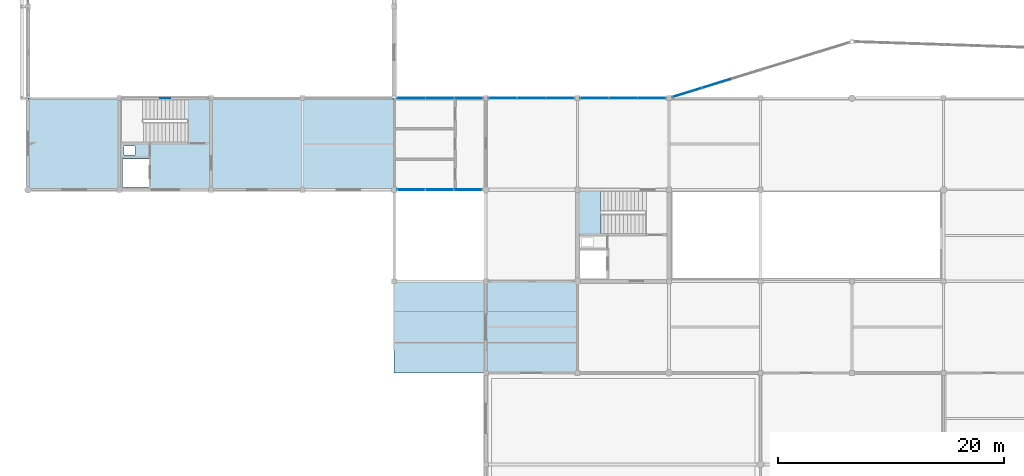
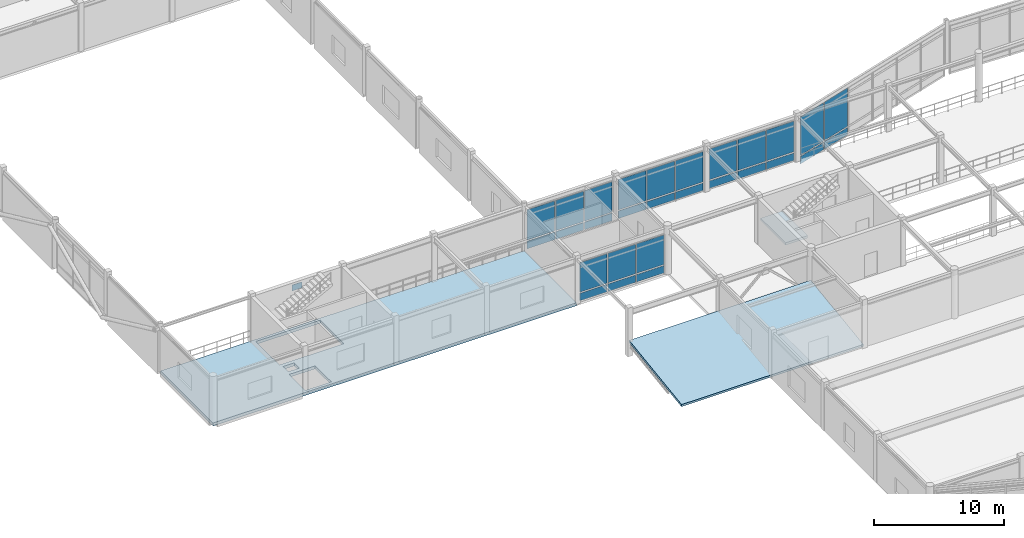
# One storey, part 50 of 93: 29 plates, 3 slabs, 6 elements without a shape of their own.
"""IFC4 building model written with IfcOpenShell, lengths in metres."""

from ifc_helpers import new_model, si_unit, direction, frame, origin, origin_2d, place, context, subcontext, project, spatial, polyline, rectangle, outline, extrude, material, layer, layer_set, type_object, element, aggregate, save


model = new_model("IFC4")

# Units and contexts
model_context = context("Model", 3, precision=1e-05, world=origin(), true_north=direction((0.0, 1.0)))
body_context = subcontext(model_context, "Body", "Model", "MODEL_VIEW")
ifc_project = project(units=[si_unit("LENGTHUNIT", "METRE"), si_unit("AREAUNIT", "SQUARE_METRE"), si_unit("VOLUMEUNIT", "CUBIC_METRE"), si_unit("PLANEANGLEUNIT", "RADIAN"), si_unit("MASSUNIT", "GRAM", prefix="KILO")], contexts=[model_context])

# Site, building, storey
site_placement = place(None, origin())
site = spatial("IfcSite", under=ifc_project, at=site_placement, CompositionType="ELEMENT")
building_placement = place(site_placement, origin())
building = spatial("IfcBuilding", under=site, at=building_placement, Name="Vaudrelin Polytechnic", CompositionType="ELEMENT")
storey_placement = place(building_placement, frame((0.0, 0.0, 5.10009765625)))
storey = spatial("IfcBuildingStorey", under=building, at=storey_placement, Name="L01", CompositionType="ELEMENT", Elevation=5.10009765625)

# Curtain wall, plates
ifc_material_1 = material(Name="Thermally broken anodised aluminium AA 6063-T6 and low-e triple glazing", Category="aluminium")
ifc_layer_1 = layer(ifc_material_1, 0.199951171875)
ifc_layer_set_1 = layer_set([ifc_layer_1], Name="Thermally broken anodised aluminium AA 6063-T6 and low-e triple glazing")
curtain_wall_type = type_object("IfcCurtainWallType", Name="CW-CW-WG", PredefinedType="USERDEFINED", material=ifc_layer_set_1)
curtain_wall_1_placement = place(storey_placement, origin())
curtain_wall_1 = element("IfcCurtainWall", 1, at=curtain_wall_1_placement, inside=storey, type_object=curtain_wall_type, Name="Curtain wall L01 S_V6W_00", ObjectType="CURTAIN WALL", PredefinedType="USERDEFINED")
ifc_material_2 = material(Name="Insulated ceramic-frit spandrel glass panel", Category="glass")
ifc_layer_2 = layer(ifc_material_2, 0.052001953125)
ifc_layer_set_2 = layer_set([ifc_layer_2], Name="Insulated ceramic-frit spandrel glass panel")
plate_type_1 = type_object("IfcPlateType", Name="PLT-GLZ-SPAND", PredefinedType="CURTAIN_PANEL", material=ifc_layer_set_2)
plate_1_placement = place(storey_placement, frame((33.88623046875, 40.5, 0.08984375), z_axis=(0.0, 0.0, 1.0), x_axis=(1.0, 0.0, 0.0)))
plate_1 = element("IfcPlate", 2, at=plate_1_placement, type_object=plate_type_1, Name="S_V6W_00 spandrel panel 1", PredefinedType="CURTAIN_PANEL", context=body_context, shape_type="SweptSolid", body=[
    extrude(rectangle(XDim=2.42626953125, YDim=0.052001953125, at=origin_2d()), origin(), (0.0, 0.0, 1.0), 0.699951171875),
])
plate_2_placement = place(storey_placement, frame((36.41259765625, 40.5, 0.08984375), z_axis=(0.0, 0.0, 1.0), x_axis=(1.0, 0.0, 0.0)))
plate_2 = element("IfcPlate", 3, at=plate_2_placement, type_object=plate_type_1, Name="S_V6W_00 spandrel panel 2", PredefinedType="CURTAIN_PANEL", context=body_context, shape_type="SweptSolid", body=[
    extrude(rectangle(XDim=2.42626953125, YDim=0.052001953125, at=origin_2d()), origin(), (0.0, 0.0, 1.0), 0.699951171875),
])
plate_3_placement = place(storey_placement, frame((38.938720703125, 40.5, 0.08984375), z_axis=(0.0, 0.0, 1.0), x_axis=(1.0, 0.0, 0.0)))
plate_3 = element("IfcPlate", 4, at=plate_3_placement, type_object=plate_type_1, Name="S_V6W_00 spandrel panel 3", PredefinedType="CURTAIN_PANEL", context=body_context, shape_type="SweptSolid", body=[
    extrude(rectangle(XDim=2.42626953125, YDim=0.052001953125, at=origin_2d()), origin(), (0.0, 0.0, 1.0), 0.699951171875),
])

curtain_wall_2_placement = place(storey_placement, origin())
curtain_wall_2 = element("IfcCurtainWall", 5, at=curtain_wall_2_placement, inside=storey, type_object=curtain_wall_type, Name="Curtain wall L01 CT_S_00", ObjectType="CURTAIN WALL", PredefinedType="USERDEFINED")
plate_4_placement = place(storey_placement, frame((33.880615234375, 48.60009765625, 0.08984375), z_axis=(0.0, 0.0, 1.0), x_axis=(1.0, 0.0, 0.0)))
plate_4 = element("IfcPlate", 6, at=plate_4_placement, type_object=plate_type_1, Name="CT_S_00 spandrel panel 1", PredefinedType="CURTAIN_PANEL", context=body_context, shape_type="SweptSolid", body=[
    extrude(rectangle(XDim=2.45849609375, YDim=0.052001953125, at=origin_2d()), origin(), (0.0, 0.0, 1.0), 0.699951171875),
])
plate_5_placement = place(storey_placement, frame((36.439208984375, 48.60009765625, 0.08984375), z_axis=(0.0, 0.0, 1.0), x_axis=(1.0, 0.0, 0.0)))
plate_5 = element("IfcPlate", 7, at=plate_5_placement, type_object=plate_type_1, Name="CT_S_00 spandrel panel 2", PredefinedType="CURTAIN_PANEL", context=body_context, shape_type="SweptSolid", body=[
    extrude(rectangle(XDim=2.45849609375, YDim=0.052001953125, at=origin_2d()), origin(), (0.0, 0.0, 1.0), 0.699951171875),
])
plate_6_placement = place(storey_placement, frame((38.997802734375, 48.60009765625, 0.08984375), z_axis=(0.0, 0.0, 1.0), x_axis=(1.0, 0.0, 0.0)))
plate_6 = element("IfcPlate", 8, at=plate_6_placement, type_object=plate_type_1, Name="CT_S_00 spandrel panel 3", PredefinedType="CURTAIN_PANEL", context=body_context, shape_type="SweptSolid", body=[
    extrude(rectangle(XDim=2.45849609375, YDim=0.052001953125, at=origin_2d()), origin(), (0.0, 0.0, 1.0), 0.699951171875),
])

curtain_wall_3_placement = place(storey_placement, origin())
curtain_wall_3 = element("IfcCurtainWall", 9, at=curtain_wall_3_placement, inside=storey, type_object=curtain_wall_type, Name="Curtain wall L01 CT_S_01", ObjectType="CURTAIN WALL", PredefinedType="USERDEFINED")
plate_7_placement = place(storey_placement, frame((41.998779296875, 48.60009765625, 0.08984375), z_axis=(0.0, 0.0, 1.0), x_axis=(1.0, 0.0, 0.0)))
plate_7 = element("IfcPlate", 10, at=plate_7_placement, type_object=plate_type_1, Name="CT_S_01 spandrel panel 1", PredefinedType="CURTAIN_PANEL", context=body_context, shape_type="SweptSolid", body=[
    extrude(rectangle(XDim=2.451416015625, YDim=0.052001953125, at=origin_2d()), origin(), (0.0, 0.0, 1.0), 0.699951171875),
])
plate_8_placement = place(storey_placement, frame((44.550048828125, 48.60009765625, 0.08984375), z_axis=(0.0, 0.0, 1.0), x_axis=(1.0, 0.0, 0.0)))
plate_8 = element("IfcPlate", 11, at=plate_8_placement, type_object=plate_type_1, Name="CT_S_01 spandrel panel 2", PredefinedType="CURTAIN_PANEL", context=body_context, shape_type="SweptSolid", body=[
    extrude(rectangle(XDim=2.451416015625, YDim=0.052001953125, at=origin_2d()), origin(), (0.0, 0.0, 1.0), 0.699951171875),
])
plate_9_placement = place(storey_placement, frame((47.101318359375, 48.60009765625, 0.08984375), z_axis=(0.0, 0.0, 1.0), x_axis=(1.0, 0.0, 0.0)))
plate_9 = element("IfcPlate", 12, at=plate_9_placement, type_object=plate_type_1, Name="CT_S_01 spandrel panel 3", PredefinedType="CURTAIN_PANEL", context=body_context, shape_type="SweptSolid", body=[
    extrude(rectangle(XDim=2.451416015625, YDim=0.052001953125, at=origin_2d()), origin(), (0.0, 0.0, 1.0), 0.699951171875),
])

curtain_wall_4_placement = place(storey_placement, origin())
curtain_wall_4 = element("IfcCurtainWall", 13, at=curtain_wall_4_placement, inside=storey, type_object=curtain_wall_type, Name="Curtain wall L01 CT_S_02", ObjectType="CURTAIN WALL", PredefinedType="USERDEFINED")
plate_10_placement = place(storey_placement, frame((50.0986328125, 48.60009765625, 0.08984375), z_axis=(0.0, 0.0, 1.0), x_axis=(1.0, 0.0, 0.0)))
plate_10 = element("IfcPlate", 14, at=plate_10_placement, type_object=plate_type_1, Name="CT_S_02 spandrel panel 1", PredefinedType="CURTAIN_PANEL", context=body_context, shape_type="SweptSolid", body=[
    extrude(rectangle(XDim=2.451416015625, YDim=0.052001953125, at=origin_2d()), origin(), (0.0, 0.0, 1.0), 0.699951171875),
])
plate_11_placement = place(storey_placement, frame((52.64990234375, 48.60009765625, 0.08984375), z_axis=(0.0, 0.0, 1.0), x_axis=(1.0, 0.0, 0.0)))
plate_11 = element("IfcPlate", 15, at=plate_11_placement, type_object=plate_type_1, Name="CT_S_02 spandrel panel 2", PredefinedType="CURTAIN_PANEL", context=body_context, shape_type="SweptSolid", body=[
    extrude(rectangle(XDim=2.451416015625, YDim=0.052001953125, at=origin_2d()), origin(), (0.0, 0.0, 1.0), 0.699951171875),
])
plate_12_placement = place(storey_placement, frame((55.201416015625, 48.60009765625, 0.08984375), z_axis=(0.0, 0.0, 1.0), x_axis=(1.0, 0.0, 0.0)))
plate_12 = element("IfcPlate", 16, at=plate_12_placement, type_object=plate_type_1, Name="CT_S_02 spandrel panel 3", PredefinedType="CURTAIN_PANEL", context=body_context, shape_type="SweptSolid", body=[
    extrude(rectangle(XDim=2.451416015625, YDim=0.052001953125, at=origin_2d()), origin(), (0.0, 0.0, 1.0), 0.699951171875),
])

curtain_wall_5_placement = place(storey_placement, origin())
curtain_wall_5 = element("IfcCurtainWall", 17, at=curtain_wall_5_placement, inside=storey, type_object=curtain_wall_type, Name="Curtain wall L01 CT_OR1_1_0", ObjectType="CURTAIN WALL", PredefinedType="USERDEFINED")
plate_13_placement = place(storey_placement, frame((58.311279296875, 49.097412109375, -0.5400390625), z_axis=(0.0, 0.0, 1.0), x_axis=(0.955523502988, 0.294914962723, 0.0)))
plate_13 = element("IfcPlate", 18, at=plate_13_placement, type_object=plate_type_1, Name="CT_OR1_1_0 spandrel panel 1", PredefinedType="CURTAIN_PANEL", context=body_context, shape_type="SweptSolid", body=[
    extrude(rectangle(XDim=2.631591796875, YDim=0.052001953125, at=origin_2d()), origin(), (0.0, 0.0, 1.0), 0.699951171875),
])
plate_14_placement = place(storey_placement, frame((60.92138671875, 49.90283203125, -0.5400390625), z_axis=(0.0, 0.0, 1.0), x_axis=(0.955523502988, 0.294914962723, 0.0)))
plate_14 = element("IfcPlate", 19, at=plate_14_placement, type_object=plate_type_1, Name="CT_OR1_1_0 spandrel panel 2", PredefinedType="CURTAIN_PANEL", context=body_context, shape_type="SweptSolid", body=[
    extrude(rectangle(XDim=2.631591796875, YDim=0.052001953125, at=origin_2d()), origin(), (0.0, 0.0, 1.0), 0.699951171875),
])

# Plate
ifc_material_3 = material(Name="Triple low-e argon insulated glazing unit", Category="glass")
ifc_layer_3 = layer(ifc_material_3, 0.0439453125)
ifc_layer_set_3 = layer_set([ifc_layer_3], Name="Triple low-e argon insulated glazing unit")
plate_type_2 = type_object("IfcPlateType", Name="PLT-GLZ-TRIPLE", PredefinedType="CURTAIN_PANEL", material=ifc_layer_set_3)
plate_15_placement = place(storey_placement, frame((33.88623046875, 40.5, 0.89990234375), z_axis=(0.0, 0.0, 1.0), x_axis=(1.0, 0.0, 0.0)))
plate_15 = element("IfcPlate", 20, at=plate_15_placement, type_object=plate_type_2, Name="S_V6W_00 vision panel 1", PredefinedType="CURTAIN_PANEL", context=body_context, shape_type="SweptSolid", body=[
    extrude(rectangle(XDim=2.42626953125, YDim=0.0439453125, at=origin_2d()), origin(), (0.0, 0.0, 1.0), 2.779052734375),
])

plate_16_placement = place(storey_placement, frame((36.41259765625, 40.5, 0.89990234375), z_axis=(0.0, 0.0, 1.0), x_axis=(1.0, 0.0, 0.0)))
plate_16 = element("IfcPlate", 21, at=plate_16_placement, type_object=plate_type_2, Name="S_V6W_00 vision panel 2", PredefinedType="CURTAIN_PANEL", context=body_context, shape_type="SweptSolid", body=[
    extrude(rectangle(XDim=2.42626953125, YDim=0.0439453125, at=origin_2d()), origin(), (0.0, 0.0, 1.0), 2.779052734375),
])

plate_17_placement = place(storey_placement, frame((38.938720703125, 40.5, 0.89990234375), z_axis=(0.0, 0.0, 1.0), x_axis=(1.0, 0.0, 0.0)))
plate_17 = element("IfcPlate", 22, at=plate_17_placement, type_object=plate_type_2, Name="S_V6W_00 vision panel 3", PredefinedType="CURTAIN_PANEL", context=body_context, shape_type="SweptSolid", body=[
    extrude(rectangle(XDim=2.42626953125, YDim=0.0439453125, at=origin_2d()), origin(), (0.0, 0.0, 1.0), 2.779052734375),
])

aggregate(curtain_wall_1, [plate_1, plate_15, plate_2, plate_16, plate_3, plate_17])

plate_18_placement = place(storey_placement, frame((33.880615234375, 48.60009765625, 0.89990234375), z_axis=(0.0, 0.0, 1.0), x_axis=(1.0, 0.0, 0.0)))
plate_18 = element("IfcPlate", 23, at=plate_18_placement, type_object=plate_type_2, Name="CT_S_00 vision panel 1", PredefinedType="CURTAIN_PANEL", context=body_context, shape_type="SweptSolid", body=[
    extrude(rectangle(XDim=2.45849609375, YDim=0.0439453125, at=origin_2d()), origin(), (0.0, 0.0, 1.0), 2.84912109375),
])

plate_19_placement = place(storey_placement, frame((36.439208984375, 48.60009765625, 0.89990234375), z_axis=(0.0, 0.0, 1.0), x_axis=(1.0, 0.0, 0.0)))
plate_19 = element("IfcPlate", 24, at=plate_19_placement, type_object=plate_type_2, Name="CT_S_00 vision panel 2", PredefinedType="CURTAIN_PANEL", context=body_context, shape_type="SweptSolid", body=[
    extrude(rectangle(XDim=2.45849609375, YDim=0.0439453125, at=origin_2d()), origin(), (0.0, 0.0, 1.0), 2.84912109375),
])

plate_20_placement = place(storey_placement, frame((38.997802734375, 48.60009765625, 0.89990234375), z_axis=(0.0, 0.0, 1.0), x_axis=(1.0, 0.0, 0.0)))
plate_20 = element("IfcPlate", 25, at=plate_20_placement, type_object=plate_type_2, Name="CT_S_00 vision panel 3", PredefinedType="CURTAIN_PANEL", context=body_context, shape_type="SweptSolid", body=[
    extrude(rectangle(XDim=2.45849609375, YDim=0.0439453125, at=origin_2d()), origin(), (0.0, 0.0, 1.0), 2.84912109375),
])

aggregate(curtain_wall_2, [plate_4, plate_18, plate_5, plate_19, plate_6, plate_20])

plate_21_placement = place(storey_placement, frame((41.998779296875, 48.60009765625, 0.89990234375), z_axis=(0.0, 0.0, 1.0), x_axis=(1.0, 0.0, 0.0)))
plate_21 = element("IfcPlate", 26, at=plate_21_placement, type_object=plate_type_2, Name="CT_S_01 vision panel 1", PredefinedType="CURTAIN_PANEL", context=body_context, shape_type="SweptSolid", body=[
    extrude(rectangle(XDim=2.451416015625, YDim=0.0439453125, at=origin_2d()), origin(), (0.0, 0.0, 1.0), 2.85205078125),
])

plate_22_placement = place(storey_placement, frame((44.550048828125, 48.60009765625, 0.89990234375), z_axis=(0.0, 0.0, 1.0), x_axis=(1.0, 0.0, 0.0)))
plate_22 = element("IfcPlate", 27, at=plate_22_placement, type_object=plate_type_2, Name="CT_S_01 vision panel 2", PredefinedType="CURTAIN_PANEL", context=body_context, shape_type="SweptSolid", body=[
    extrude(rectangle(XDim=2.451416015625, YDim=0.0439453125, at=origin_2d()), origin(), (0.0, 0.0, 1.0), 2.85205078125),
])

plate_23_placement = place(storey_placement, frame((47.101318359375, 48.60009765625, 0.89990234375), z_axis=(0.0, 0.0, 1.0), x_axis=(1.0, 0.0, 0.0)))
plate_23 = element("IfcPlate", 28, at=plate_23_placement, type_object=plate_type_2, Name="CT_S_01 vision panel 3", PredefinedType="CURTAIN_PANEL", context=body_context, shape_type="SweptSolid", body=[
    extrude(rectangle(XDim=2.451416015625, YDim=0.0439453125, at=origin_2d()), origin(), (0.0, 0.0, 1.0), 2.85205078125),
])

aggregate(curtain_wall_3, [plate_7, plate_21, plate_8, plate_22, plate_9, plate_23])

plate_24_placement = place(storey_placement, frame((50.0986328125, 48.60009765625, 0.89990234375), z_axis=(0.0, 0.0, 1.0), x_axis=(1.0, 0.0, 0.0)))
plate_24 = element("IfcPlate", 29, at=plate_24_placement, type_object=plate_type_2, Name="CT_S_02 vision panel 1", PredefinedType="CURTAIN_PANEL", context=body_context, shape_type="SweptSolid", body=[
    extrude(rectangle(XDim=2.451416015625, YDim=0.0439453125, at=origin_2d()), origin(), (0.0, 0.0, 1.0), 2.89697265625),
])

plate_25_placement = place(storey_placement, frame((52.64990234375, 48.60009765625, 0.89990234375), z_axis=(0.0, 0.0, 1.0), x_axis=(1.0, 0.0, 0.0)))
plate_25 = element("IfcPlate", 30, at=plate_25_placement, type_object=plate_type_2, Name="CT_S_02 vision panel 2", PredefinedType="CURTAIN_PANEL", context=body_context, shape_type="SweptSolid", body=[
    extrude(rectangle(XDim=2.451416015625, YDim=0.0439453125, at=origin_2d()), origin(), (0.0, 0.0, 1.0), 2.89697265625),
])

plate_26_placement = place(storey_placement, frame((55.201416015625, 48.60009765625, 0.89990234375), z_axis=(0.0, 0.0, 1.0), x_axis=(1.0, 0.0, 0.0)))
plate_26 = element("IfcPlate", 31, at=plate_26_placement, type_object=plate_type_2, Name="CT_S_02 vision panel 3", PredefinedType="CURTAIN_PANEL", context=body_context, shape_type="SweptSolid", body=[
    extrude(rectangle(XDim=2.451416015625, YDim=0.0439453125, at=origin_2d()), origin(), (0.0, 0.0, 1.0), 2.89697265625),
])

aggregate(curtain_wall_4, [plate_10, plate_24, plate_11, plate_25, plate_12, plate_26])

plate_27_placement = place(storey_placement, frame((58.311279296875, 49.097412109375, 0.27001953125), z_axis=(0.0, 0.0, 1.0), x_axis=(0.955523502988, 0.294914962723, 0.0)))
plate_27 = element("IfcPlate", 32, at=plate_27_placement, type_object=plate_type_2, Name="CT_OR1_1_0 vision panel 1", PredefinedType="CURTAIN_PANEL", context=body_context, shape_type="SweptSolid", body=[
    extrude(rectangle(XDim=2.631591796875, YDim=0.0439453125, at=origin_2d()), origin(), (0.0, 0.0, 1.0), 3.610107421875),
])

plate_28_placement = place(storey_placement, frame((60.92138671875, 49.90283203125, 0.27001953125), z_axis=(0.0, 0.0, 1.0), x_axis=(0.955523502988, 0.294914962723, 0.0)))
plate_28 = element("IfcPlate", 33, at=plate_28_placement, type_object=plate_type_2, Name="CT_OR1_1_0 vision panel 2", PredefinedType="CURTAIN_PANEL", context=body_context, shape_type="SweptSolid", body=[
    extrude(rectangle(XDim=2.631591796875, YDim=0.0439453125, at=origin_2d()), origin(), (0.0, 0.0, 1.0), 3.610107421875),
])

aggregate(curtain_wall_5, [plate_13, plate_27, plate_14, plate_28])

ifc_material_4 = material(Name="Steel CSA G40.21 350WT", Category="steel")
ifc_layer_4 = layer(ifc_material_4, 0.031982421875)
ifc_layer_set_4 = layer_set([ifc_layer_4], Name="Steel CSA G40.21 350WT")
plate_type_3 = type_object("IfcPlateType", Name="PLT-GP-04", PredefinedType="USERDEFINED", material=ifc_layer_set_4)
plate_29_placement = place(storey_placement, frame((12.14990234375, 48.60009765625, 3.43408203125), z_axis=(0.0, 0.0, 1.0), x_axis=(1.0, 0.0, 0.0)))
element("IfcPlate", 34, at=plate_29_placement, inside=storey, type_object=plate_type_3, Name="Braced-frame apex gusset plate GP-BF03", ObjectType="GUSSET PLATE", PredefinedType="USERDEFINED", context=body_context, shape_type="SweptSolid", body=[
    extrude(rectangle(XDim=0.89990234375, YDim=0.031982421875, at=origin_2d()), origin(), (0.0, 0.0, 1.0), 0.550048828125),
])

# Stair, slab
ifc_material_5 = material(Name="Concrete 35 MPa", Category="concrete")
stair_type = type_object("IfcStairType", Name="STR-ST-CORE", PredefinedType="TWO_STRAIGHT_RUN_STAIR", material=ifc_material_5)
stair_placement = place(storey_placement, origin())
stair = element("IfcStair", 35, at=stair_placement, inside=storey, type_object=stair_type, Name="Exit stair ST-04-L01", PredefinedType="TWO_STRAIGHT_RUN_STAIR")
ifc_layer_5 = layer(ifc_material_5, 0.219970703125)
ifc_layer_set_5 = layer_set([ifc_layer_5], Name="Concrete 35 MPa")
slab_type_1 = type_object("IfcSlabType", Name="SLB-LND220", PredefinedType="LANDING", material=ifc_layer_set_5)
slab_1_placement = place(storey_placement, frame((0.0, 0.0, 2.074951171875)))
slab_1 = element("IfcSlab", 36, at=slab_1_placement, type_object=slab_type_1, Name="ST-04-L01 landing 1", PredefinedType="LANDING", context=body_context, shape_type="SweptSolid", body=[
    extrude(outline(polyline([(48.739990234375, 36.56005859375), (50.7099609375, 36.56005859375), (50.7099609375, 40.39990234375), (48.739990234375, 40.39990234375), (48.739990234375, 36.56005859375)])), origin(), (0.0, 0.0, 1.0), 0.219970703125),
])
aggregate(stair, [slab_1])

# Slabs
ifc_layer_6 = layer(ifc_material_5, 0.280029296875)
ifc_layer_set_6 = layer_set([ifc_layer_6], Name="Concrete 35 MPa")
slab_type_2 = type_object("IfcSlabType", Name="SLB-SL-F280", PredefinedType="FLOOR", material=ifc_layer_set_6)
slab_2_placement = place(storey_placement, frame((0.0, 0.0, -0.280029296875)))
element("IfcSlab", 37, at=slab_2_placement, inside=storey, type_object=slab_type_2, Name="L01 floor slab V1-OBS", PredefinedType="FLOOR", context=body_context, shape_type="SweptSolid", body=[
    extrude(outline(polyline([(0.0, 40.5), (32.39990234375, 40.5), (32.39990234375, 48.60009765625), (0.0, 48.60009765625), (0.0, 40.5)]), holes=[polyline([(8.35009765625, 44.7099609375), (14.10009765625, 44.7099609375), (14.10009765625, 48.35009765625), (8.35009765625, 48.35009765625), (8.35009765625, 44.7099609375)]), polyline([(8.35009765625, 40.75), (10.679931640625, 40.75), (10.679931640625, 43.22998046875), (8.35009765625, 43.22998046875), (8.35009765625, 40.75)]), polyline([(8.47998046875, 43.580078125), (9.47998046875, 43.580078125), (9.47998046875, 44.3798828125), (8.47998046875, 44.3798828125), (8.47998046875, 43.580078125)])]), origin(), (0.0, 0.0, 1.0), 0.280029296875),
])
ifc_layer_7 = layer(ifc_material_5, 0.219970703125)
ifc_layer_set_7 = layer_set([ifc_layer_7], Name="Concrete 35 MPa")
slab_type_3 = type_object("IfcSlabType", Name="SLB-SL-RF220", PredefinedType="ROOF", material=ifc_layer_set_7)
slab_3_placement = place(storey_placement, frame((32.39990234375, 24.300048828125, 0.219970703125), z_axis=(0.0, -0.13918120072, 0.990266930361), x_axis=(1.0, 0.0, 0.0)))
element("IfcSlab", 38, at=slab_3_placement, inside=storey, type_object=slab_type_3, Name="Glazed entrance porch sloped roof", PredefinedType="ROOF", context=body_context, shape_type="SweptSolid", body=[
    extrude(outline(polyline([(0.0, 0.0), (16.2001953125, 0.0), (16.2001953125, 8.17946481629311), (0.0, 8.17946481629311), (0.0, 0.0)])), origin(), (0.0, 0.0, -1.0), 0.219970703125),
])

save(model, "model.ifc")
